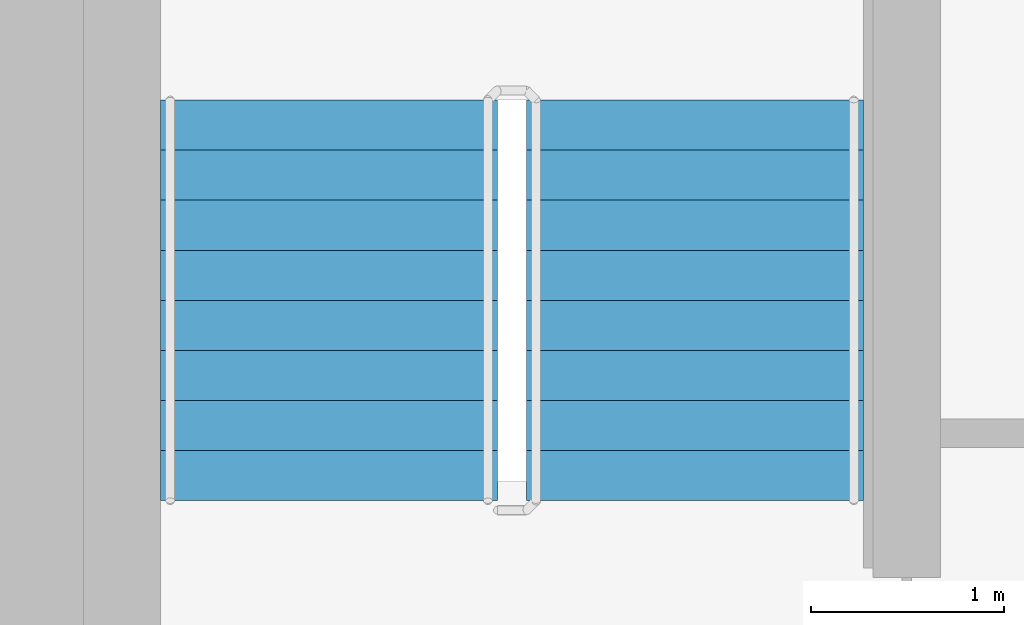
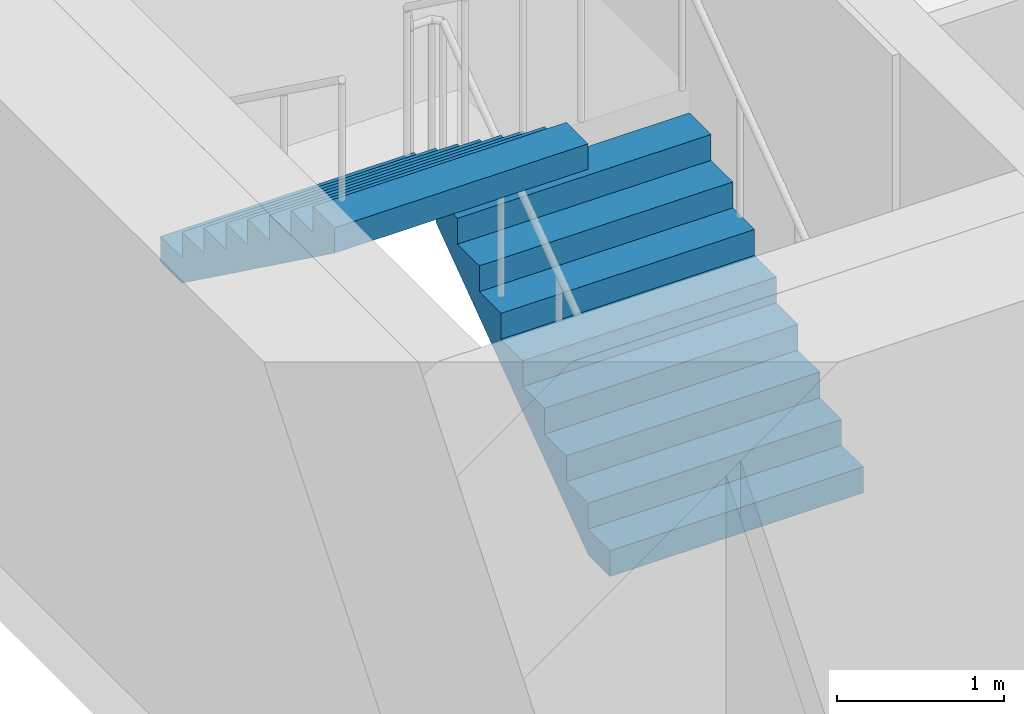
# One storey, part 16 of 19: 2 stair flights, 1 element without a shape of its own.
"""IFC4 building model written with IfcOpenShell, lengths in metres."""

import ifcopenshell
import ifcopenshell.guid

model = None  # the IFC model being written
_history = None  # IfcOwnerHistory: only IFC2X3 demands one
_inside = {}  # id of a spatial element -> (the spatial element, [elements in it])
_under = {}  # id of a project, library or spatial element -> (it, [spatial elements below it])
_declared = {}  # id of a project -> (the project, [libraries it declares])
_typed = {}  # id of a type object -> (the type object, [elements of that type])
_made_of = {}  # id of a material, layer set ... -> (it, [elements and type objects made of it])


def new_model(schema):
    """Start an empty IFC model of exactly this schema.

    Asked for "IFC4X3", IfcOpenShell would pick the latest addendum, in which some entities
    have other attributes; the version numbers below select the first issue.
    IFC2X3 requires an IfcOwnerHistory on every rooted entity: one is made here for all.
    """
    global model, _history
    if schema == "IFC4X3":
        model = ifcopenshell.file(schema_version=(4, 3, 0, 0))
    else:
        model = ifcopenshell.file(schema=schema)
    _inside.clear()
    _under.clear()
    _declared.clear()
    _typed.clear()
    _made_of.clear()
    _history = None
    if model.schema == "IFC2X3":
        org = make("IfcOrganization", Name="unknown")
        user = make(
            "IfcPersonAndOrganization",
            ThePerson=make("IfcPerson", FamilyName="unknown"),
            TheOrganization=org,
        )
        app = make(
            "IfcApplication",
            ApplicationDeveloper=org,
            Version="unknown",
            ApplicationFullName="unknown",
            ApplicationIdentifier="unknown",
        )
        _history = make(
            "IfcOwnerHistory",
            OwningUser=user,
            OwningApplication=app,
            ChangeAction="ADDED",
            CreationDate=0,
        )
    return model


def make(cls, **values):
    """One entity of the class cls with the attributes given. An attribute that is None is left unset."""
    return model.create_entity(
        cls, **{name: value for name, value in values.items() if value is not None}
    )


def rooted(cls, **values):
    """An entity with a GlobalId (a new one), such as an element, a storey or a relation."""
    return make(cls, GlobalId=ifcopenshell.guid.new(), OwnerHistory=_history, **values)


def si_unit(unit_type, name, prefix=None):
    """IfcSIUnit, for example si_unit("LENGTHUNIT", "METRE", prefix="MILLI")."""
    return make("IfcSIUnit", UnitType=unit_type, Prefix=prefix, Name=name)


def assignment(units):
    """IfcUnitAssignment: the units of a project."""
    return None if units is None else make("IfcUnitAssignment", Units=units)


def point(xyz):
    """IfcCartesianPoint."""
    return None if xyz is None else make("IfcCartesianPoint", Coordinates=xyz)


def direction(xyz):
    """IfcDirection."""
    return None if xyz is None else make("IfcDirection", DirectionRatios=xyz)


def frame(location, z_axis=None, x_axis=None):
    """IfcAxis2Placement3D, a coordinate frame: its origin and axes. An axis left out is left unset."""
    return make(
        "IfcAxis2Placement3D",
        Location=point(location),
        Axis=direction(z_axis),
        RefDirection=direction(x_axis),
    )


def origin():
    """The frame at (0, 0, 0) with its axes left unset."""
    return frame((0.0, 0.0, 0.0))


def place(relative_to, where):
    """IfcLocalPlacement: puts the frame where relative to a parent placement (None: the world)."""
    return make(
        "IfcLocalPlacement", PlacementRelTo=relative_to, RelativePlacement=where
    )


def context(
    kind, dimensions, precision=None, world=None, true_north=None, identifier=None
):
    """IfcGeometricRepresentationContext, for example the 3D "Model" context."""
    return make(
        "IfcGeometricRepresentationContext",
        ContextIdentifier=identifier,
        ContextType=kind,
        CoordinateSpaceDimension=dimensions,
        Precision=precision,
        WorldCoordinateSystem=world,
        TrueNorth=true_north,
    )


def subcontext(parent, identifier, kind, view, scale=None):
    """IfcGeometricRepresentationSubContext, for example "Body" below "Model"."""
    return make(
        "IfcGeometricRepresentationSubContext",
        ContextIdentifier=identifier,
        ContextType=kind,
        ParentContext=parent,
        TargetScale=scale,
        TargetView=view,
    )


def project(units=None, contexts=None):
    """IfcProject with its units and contexts."""
    return rooted(
        "IfcProject",
        Name="project",
        RepresentationContexts=contexts,
        UnitsInContext=assignment(units),
    )


def spatial(cls, under=None, at=None, **own):
    """A site, building, storey or space (cls), placed at a placement, below another one or the project."""
    s = rooted(cls, ObjectPlacement=at, **own)
    if under is not None:
        _under.setdefault(under.id(), (under, []))[1].append(s)
    return s


def faces_of(points, faces, orient=None, outer=None):
    """IfcFace entities. A face is a list of loops; a loop is a list of indices into points, from 0.

    orient and outer hold one flag for each loop. By default every Orientation is true, the
    first loop of a face is its IfcFaceOuterBound and the others are IfcFaceBound.
    """
    made = []
    for i, loops in enumerate(faces):
        bounds = []
        for j, loop in enumerate(loops):
            is_outer = j == 0 if outer is None else outer[i][j]
            bounds.append(
                make(
                    "IfcFaceOuterBound" if is_outer else "IfcFaceBound",
                    Bound=make("IfcPolyLoop", Polygon=[points[k] for k in loop]),
                    Orientation=True if orient is None else orient[i][j],
                )
            )
        made.append(make("IfcFace", Bounds=bounds))
    return made


def faceted_brep(points, faces, orient=None, outer=None, voids=None):
    """IfcFacetedBrep: a solid bounded by flat faces; with voids (closed shells), ...WithVoids."""
    shared = [point(p) for p in points]
    hull = make("IfcClosedShell", CfsFaces=faces_of(shared, faces, orient, outer))
    if voids is None:
        return make("IfcFacetedBrep", Outer=hull)
    return make(
        "IfcFacetedBrepWithVoids",
        Outer=hull,
        Voids=[
            make(cls, CfsFaces=faces_of(shared, fs, o, b)) for cls, fs, o, b in voids
        ],
    )


def shape(context_of_items, identifier, shape_type, items):
    """IfcShapeRepresentation: the items that make up one representation, for example the "Body"."""
    return make(
        "IfcShapeRepresentation",
        ContextOfItems=context_of_items,
        RepresentationIdentifier=identifier,
        RepresentationType=shape_type,
        Items=items,
    )


def material(Name=None, Category=None):
    """IfcMaterial."""
    return make("IfcMaterial", Name=Name, Category=Category)


def made_of(thing, what):
    """Note that an element or type object is made of a material, layer set ...; save() writes the relation."""
    if what is not None:
        _made_of.setdefault(what.id(), (what, []))[1].append(thing)
    return thing


def type_object(cls, material=None, **own):
    """A type object (cls), such as IfcWallType, which elements share."""
    return made_of(rooted(cls, **own), material)


def element(
    cls,
    number,
    at=None,
    inside=None,
    cuts=None,
    type_object=None,
    material=None,
    context=None,
    identifier="Body",
    shape_type=None,
    held_by="IfcProductDefinitionShape",
    body=None,
    shapes=None,
    **own,
):
    """One element of the class cls, such as IfcWall. Its Tag is "e" and its number.

    at: its placement. inside: the storey or other place that contains it. cuts: it is an
    opening in that element (IfcRelVoidsElement). A single representation is given by context,
    identifier, shape_type and body (its items); several are given by shapes. held_by: the class
    of the entity that holds the representations. save() writes the other relations.
    """
    e = rooted(cls, Tag="e%d" % number, ObjectPlacement=at, **own)
    if body is not None:
        shapes = [shape(context, identifier, shape_type, body)]
    if shapes is not None:
        e.Representation = make(held_by, Representations=shapes)
    if inside is not None:
        _inside.setdefault(inside.id(), (inside, []))[1].append(e)
    if cuts is not None:
        rooted(
            "IfcRelVoidsElement", RelatingBuildingElement=cuts, RelatedOpeningElement=e
        )
    if type_object is not None:
        _typed.setdefault(type_object.id(), (type_object, []))[1].append(e)
    return made_of(e, material)


def aggregate(whole, parts):
    """IfcRelAggregates: a whole, such as a stair, and the parts it consists of."""
    return rooted("IfcRelAggregates", RelatingObject=whole, RelatedObjects=parts)


def save(model, path):
    """Write the relations noted so far, then the file.

    IfcRelAggregates (storeys below a building ...), IfcRelContainedInSpatialStructure (elements
    in a storey), IfcRelDefinesByType, IfcRelAssociatesMaterial and IfcRelDeclares: one each for
    every whole, place, type object, material and project.
    """
    for whole, parts in _under.values():
        aggregate(whole, parts)
    for where, things in _inside.values():
        rooted(
            "IfcRelContainedInSpatialStructure",
            RelatedElements=things,
            RelatingStructure=where,
        )
    for kind, things in _typed.values():
        rooted("IfcRelDefinesByType", RelatedObjects=things, RelatingType=kind)
    for what, things in _made_of.values():
        rooted("IfcRelAssociatesMaterial", RelatedObjects=things, RelatingMaterial=what)
    for by, libraries in _declared.values():
        rooted("IfcRelDeclares", RelatingContext=by, RelatedDefinitions=libraries)
    model.write(path)


model = new_model("IFC4")

# Units and contexts
model_context = context("Model", 3, precision=1e-05, world=origin(), true_north=direction((0.0, 1.0)))
body_context = subcontext(model_context, "Body", "Model", "MODEL_VIEW")
ifc_project = project(units=[si_unit("LENGTHUNIT", "METRE"), si_unit("AREAUNIT", "SQUARE_METRE"), si_unit("VOLUMEUNIT", "CUBIC_METRE"), si_unit("PLANEANGLEUNIT", "RADIAN"), si_unit("MASSUNIT", "GRAM", prefix="KILO")], contexts=[model_context])

# Site, building, storey
site_placement = place(None, origin())
site = spatial("IfcSite", under=ifc_project, at=site_placement, CompositionType="ELEMENT")
building_placement = place(site_placement, origin())
building = spatial("IfcBuilding", under=site, at=building_placement, Name="Ipe Terrace Towers", CompositionType="ELEMENT")
storey_placement = place(building_placement, frame((0.0, 0.0, 174.5)))
storey = spatial("IfcBuildingStorey", under=building, at=storey_placement, Name="L48", CompositionType="ELEMENT", Elevation=174.5)

# Stair, stair flights
ifc_material_1 = material(Name="Concrete C30/37", Category="concrete")
stair_type = type_object("IfcStairType", Name="Protected exit stair", PredefinedType="HALF_TURN_STAIR", material=ifc_material_1)
stair_placement = place(storey_placement, origin())
stair = element("IfcStair", 1, at=stair_placement, inside=storey, type_object=stair_type, Name="L48 Exit stair T2-C1", PredefinedType="HALF_TURN_STAIR")
ifc_material_2 = material(Name="Concrete C30/37", Category="concrete")
stair_flight_type = type_object("IfcStairFlightType", Name="Exit stair flight 1750", PredefinedType="STRAIGHT", material=ifc_material_2)
stair_flight_1_placement = place(storey_placement, frame((33.22509765625, 9.699951171875, 0.0), z_axis=(0.0, 0.0, 1.0), x_axis=(0.0, 1.0, 0.0)))
stair_flight_1 = element("IfcStairFlight", 2, at=stair_flight_1_placement, type_object=stair_flight_type, Name="T2-ST1 flight 1", NumberOfRisers=9, NumberOfTreads=8, PredefinedType="STRAIGHT", RiserHeight=0.188888889, TreadLength=0.26, context=body_context, shape_type="Brep", body=[
    faceted_brep([(0.255126953125, -0.875, 0.0), (2.080078125, -0.875, 1.325927734375), (2.080078125, -0.875, 1.51123046875), (1.820068359375, -0.875, 1.51123046875), (1.820068359375, -0.875, 1.322265625), (1.56005859375, -0.875, 1.322265625), (1.56005859375, -0.875, 1.13330078125), (1.300048828125, -0.875, 1.13330078125), (1.300048828125, -0.875, 0.9443359375), (1.0400390625, -0.875, 0.9443359375), (1.0400390625, -0.875, 0.755615234375), (0.780029296875, -0.875, 0.755615234375), (0.780029296875, -0.875, 0.566650390625), (0.52001953125, -0.875, 0.566650390625), (0.52001953125, -0.875, 0.377685546875), (0.260009765625, -0.875, 0.377685546875), (0.260009765625, -0.875, 0.18896484375), (0.0, -0.875, 0.18896484375), (0.0, -0.875, 0.0), (0.0, 0.875, 0.0), (0.0, 0.875, 0.18896484375), (0.260009765625, 0.875, 0.18896484375), (0.260009765625, 0.875, 0.377685546875), (0.52001953125, 0.875, 0.377685546875), (0.52001953125, 0.875, 0.566650390625), (0.780029296875, 0.875, 0.566650390625), (0.780029296875, 0.875, 0.755615234375), (1.0400390625, 0.875, 0.755615234375), (1.0400390625, 0.875, 0.9443359375), (1.300048828125, 0.875, 0.9443359375), (1.300048828125, 0.875, 1.13330078125), (1.56005859375, 0.875, 1.13330078125), (1.56005859375, 0.875, 1.322265625), (1.820068359375, 0.875, 1.322265625), (1.820068359375, 0.875, 1.51123046875), (2.080078125, 0.875, 1.51123046875), (2.080078125, 0.875, 1.325927734375), (0.255126953125, 0.875, 0.0), (0.0, -0.300048828125, 0.18896484375), (0.0, -0.1201171875, 0.18896484375), (0.0, -0.06005859375, 0.18896484375), (0.0, -0.030029296875, 0.18896484375), (0.0, -0.010009765625, 0.18896484375), (0.0, 0.0, 0.18896484375), (0.0, 0.010009765625, 0.18896484375), (0.0, 0.030029296875, 0.18896484375), (0.0, 0.06005859375, 0.18896484375), (0.0, 0.1201171875, 0.18896484375), (0.0, 0.300048828125, 0.18896484375), (0.0, 0.300048828125, 0.0), (0.0, 0.1201171875, 0.0), (0.0, 0.06005859375, 0.0), (0.0, 0.030029296875, 0.0), (0.0, 0.010009765625, 0.0), (0.0, 0.0, 0.0), (0.0, -0.010009765625, 0.0), (0.0, -0.030029296875, 0.0), (0.0, -0.06005859375, 0.0), (0.0, -0.1201171875, 0.0), (0.0, -0.300048828125, 0.0), (0.260009765625, -0.300048828125, 0.18896484375), (0.260009765625, -0.1201171875, 0.18896484375), (0.260009765625, -0.06005859375, 0.18896484375), (0.260009765625, -0.030029296875, 0.18896484375), (0.260009765625, -0.010009765625, 0.18896484375), (0.260009765625, 0.0, 0.18896484375), (0.260009765625, 0.010009765625, 0.18896484375), (0.260009765625, 0.030029296875, 0.18896484375), (0.260009765625, 0.06005859375, 0.18896484375), (0.260009765625, 0.1201171875, 0.18896484375), (0.260009765625, 0.300048828125, 0.18896484375), (0.260009765625, -0.300048828125, 0.377685546875), (0.260009765625, -0.1201171875, 0.377685546875), (0.260009765625, -0.06005859375, 0.377685546875), (0.260009765625, -0.030029296875, 0.377685546875), (0.260009765625, -0.010009765625, 0.377685546875), (0.260009765625, 0.0, 0.377685546875), (0.260009765625, 0.010009765625, 0.377685546875), (0.260009765625, 0.030029296875, 0.377685546875), (0.260009765625, 0.06005859375, 0.377685546875), (0.260009765625, 0.1201171875, 0.377685546875), (0.260009765625, 0.300048828125, 0.377685546875), (0.52001953125, -0.300048828125, 0.377685546875), (0.52001953125, -0.1201171875, 0.377685546875), (0.52001953125, -0.06005859375, 0.377685546875), (0.52001953125, -0.030029296875, 0.377685546875), (0.52001953125, -0.010009765625, 0.377685546875), (0.52001953125, 0.0, 0.377685546875), (0.52001953125, 0.010009765625, 0.377685546875), (0.52001953125, 0.030029296875, 0.377685546875), (0.52001953125, 0.06005859375, 0.377685546875), (0.52001953125, 0.1201171875, 0.377685546875), (0.52001953125, 0.300048828125, 0.377685546875), (0.52001953125, -0.300048828125, 0.566650390625), (0.52001953125, -0.1201171875, 0.566650390625), (0.52001953125, -0.06005859375, 0.566650390625), (0.52001953125, -0.030029296875, 0.566650390625), (0.52001953125, -0.010009765625, 0.566650390625), (0.52001953125, 0.0, 0.566650390625), (0.52001953125, 0.010009765625, 0.566650390625), (0.52001953125, 0.030029296875, 0.566650390625), (0.52001953125, 0.06005859375, 0.566650390625), (0.52001953125, 0.1201171875, 0.566650390625), (0.52001953125, 0.300048828125, 0.566650390625), (0.780029296875, -0.300048828125, 0.566650390625), (0.780029296875, -0.1201171875, 0.566650390625), (0.780029296875, -0.06005859375, 0.566650390625), (0.780029296875, -0.030029296875, 0.566650390625), (0.780029296875, -0.010009765625, 0.566650390625), (0.780029296875, 0.0, 0.566650390625), (0.780029296875, 0.010009765625, 0.566650390625), (0.780029296875, 0.030029296875, 0.566650390625), (0.780029296875, 0.06005859375, 0.566650390625), (0.780029296875, 0.1201171875, 0.566650390625), (0.780029296875, 0.300048828125, 0.566650390625), (0.780029296875, -0.300048828125, 0.755615234375), (0.780029296875, -0.1201171875, 0.755615234375), (0.780029296875, -0.06005859375, 0.755615234375), (0.780029296875, -0.030029296875, 0.755615234375), (0.780029296875, -0.010009765625, 0.755615234375), (0.780029296875, 0.0, 0.755615234375), (0.780029296875, 0.010009765625, 0.755615234375), (0.780029296875, 0.030029296875, 0.755615234375), (0.780029296875, 0.06005859375, 0.755615234375), (0.780029296875, 0.1201171875, 0.755615234375), (0.780029296875, 0.300048828125, 0.755615234375), (1.0400390625, -0.300048828125, 0.755615234375), (1.0400390625, -0.1201171875, 0.755615234375), (1.0400390625, -0.06005859375, 0.755615234375), (1.0400390625, -0.030029296875, 0.755615234375), (1.0400390625, -0.010009765625, 0.755615234375), (1.0400390625, 0.0, 0.755615234375), (1.0400390625, 0.010009765625, 0.755615234375), (1.0400390625, 0.030029296875, 0.755615234375), (1.0400390625, 0.06005859375, 0.755615234375), (1.0400390625, 0.1201171875, 0.755615234375), (1.0400390625, 0.300048828125, 0.755615234375), (1.0400390625, -0.300048828125, 0.9443359375), (1.0400390625, -0.1201171875, 0.9443359375), (1.0400390625, -0.06005859375, 0.9443359375), (1.0400390625, -0.030029296875, 0.9443359375), (1.0400390625, -0.010009765625, 0.9443359375), (1.0400390625, 0.0, 0.9443359375), (1.0400390625, 0.010009765625, 0.9443359375), (1.0400390625, 0.030029296875, 0.9443359375), (1.0400390625, 0.06005859375, 0.9443359375), (1.0400390625, 0.1201171875, 0.9443359375), (1.0400390625, 0.300048828125, 0.9443359375), (1.300048828125, -0.300048828125, 0.9443359375), (1.300048828125, -0.1201171875, 0.9443359375), (1.300048828125, -0.06005859375, 0.9443359375), (1.300048828125, -0.030029296875, 0.9443359375), (1.300048828125, -0.010009765625, 0.9443359375), (1.300048828125, 0.0, 0.9443359375), (1.300048828125, 0.010009765625, 0.9443359375), (1.300048828125, 0.030029296875, 0.9443359375), (1.300048828125, 0.06005859375, 0.9443359375), (1.300048828125, 0.1201171875, 0.9443359375), (1.300048828125, 0.300048828125, 0.9443359375), (1.300048828125, -0.300048828125, 1.13330078125), (1.300048828125, -0.1201171875, 1.13330078125), (1.300048828125, -0.06005859375, 1.13330078125), (1.300048828125, -0.030029296875, 1.13330078125), (1.300048828125, -0.010009765625, 1.13330078125), (1.300048828125, 0.0, 1.13330078125), (1.300048828125, 0.010009765625, 1.13330078125), (1.300048828125, 0.030029296875, 1.13330078125), (1.300048828125, 0.06005859375, 1.13330078125), (1.300048828125, 0.1201171875, 1.13330078125), (1.300048828125, 0.300048828125, 1.13330078125), (1.56005859375, -0.300048828125, 1.13330078125), (1.56005859375, -0.1201171875, 1.13330078125), (1.56005859375, -0.06005859375, 1.13330078125), (1.56005859375, -0.030029296875, 1.13330078125), (1.56005859375, -0.010009765625, 1.13330078125), (1.56005859375, 0.0, 1.13330078125), (1.56005859375, 0.010009765625, 1.13330078125), (1.56005859375, 0.030029296875, 1.13330078125), (1.56005859375, 0.06005859375, 1.13330078125), (1.56005859375, 0.1201171875, 1.13330078125), (1.56005859375, 0.300048828125, 1.13330078125), (1.56005859375, -0.300048828125, 1.322265625), (1.56005859375, -0.1201171875, 1.322265625), (1.56005859375, -0.06005859375, 1.322265625), (1.56005859375, -0.030029296875, 1.322265625), (1.56005859375, -0.010009765625, 1.322265625), (1.56005859375, 0.0, 1.322265625), (1.56005859375, 0.010009765625, 1.322265625), (1.56005859375, 0.030029296875, 1.322265625), (1.56005859375, 0.06005859375, 1.322265625), (1.56005859375, 0.1201171875, 1.322265625), (1.56005859375, 0.300048828125, 1.322265625), (1.820068359375, -0.300048828125, 1.322265625), (1.820068359375, -0.1201171875, 1.322265625), (1.820068359375, -0.06005859375, 1.322265625), (1.820068359375, -0.030029296875, 1.322265625), (1.820068359375, -0.010009765625, 1.322265625), (1.820068359375, 0.0, 1.322265625), (1.820068359375, 0.010009765625, 1.322265625), (1.820068359375, 0.030029296875, 1.322265625), (1.820068359375, 0.06005859375, 1.322265625), (1.820068359375, 0.1201171875, 1.322265625), (1.820068359375, 0.300048828125, 1.322265625), (1.820068359375, -0.300048828125, 1.51123046875), (1.820068359375, -0.1201171875, 1.51123046875), (1.820068359375, -0.06005859375, 1.51123046875), (1.820068359375, -0.030029296875, 1.51123046875), (1.820068359375, -0.010009765625, 1.51123046875), (1.820068359375, 0.0, 1.51123046875), (1.820068359375, 0.010009765625, 1.51123046875), (1.820068359375, 0.030029296875, 1.51123046875), (1.820068359375, 0.06005859375, 1.51123046875), (1.820068359375, 0.1201171875, 1.51123046875), (1.820068359375, 0.300048828125, 1.51123046875), (2.080078125, -0.300048828125, 1.51123046875), (2.080078125, -0.1201171875, 1.51123046875), (2.080078125, -0.06005859375, 1.51123046875), (2.080078125, -0.030029296875, 1.51123046875), (2.080078125, -0.010009765625, 1.51123046875), (2.080078125, 0.0, 1.51123046875), (2.080078125, 0.010009765625, 1.51123046875), (2.080078125, 0.030029296875, 1.51123046875), (2.080078125, 0.06005859375, 1.51123046875), (2.080078125, 0.1201171875, 1.51123046875), (2.080078125, 0.300048828125, 1.51123046875), (2.080078125, -0.300048828125, 1.325927734375), (2.080078125, -0.1201171875, 1.325927734375), (2.080078125, -0.06005859375, 1.325927734375), (2.080078125, -0.030029296875, 1.325927734375), (2.080078125, -0.010009765625, 1.325927734375), (2.080078125, 0.0, 1.325927734375), (2.080078125, 0.010009765625, 1.325927734375), (2.080078125, 0.030029296875, 1.325927734375), (2.080078125, 0.06005859375, 1.325927734375), (2.080078125, 0.1201171875, 1.325927734375), (2.080078125, 0.300048828125, 1.325927734375), (0.255126953125, -0.300048828125, 0.0), (0.255126953125, -0.1201171875, 0.0), (0.255126953125, -0.06005859375, 0.0), (0.255126953125, -0.030029296875, 0.0), (0.255126953125, -0.010009765625, 0.0), (0.255126953125, 0.0, 0.0), (0.255126953125, 0.010009765625, 0.0), (0.255126953125, 0.030029296875, 0.0), (0.255126953125, 0.06005859375, 0.0), (0.255126953125, 0.1201171875, 0.0), (0.255126953125, 0.300048828125, 0.0)], [[[0, 1, 2, 3, 4, 5, 6, 7, 8, 9, 10, 11, 12, 13, 14, 15, 16, 17, 18]], [[19, 20, 21, 22, 23, 24, 25, 26, 27, 28, 29, 30, 31, 32, 33, 34, 35, 36, 37]], [[17, 38, 39, 40, 41, 42, 43, 44, 45, 46, 47, 48, 20, 19, 49, 50, 51, 52, 53, 54, 55, 56, 57, 58, 59, 18]], [[16, 60, 61, 62, 63, 64, 65, 66, 67, 68, 69, 70, 21, 20, 48, 47, 46, 45, 44, 43, 42, 41, 40, 39, 38, 17]], [[15, 71, 72, 73, 74, 75, 76, 77, 78, 79, 80, 81, 22, 21, 70, 69, 68, 67, 66, 65, 64, 63, 62, 61, 60, 16]], [[14, 82, 83, 84, 85, 86, 87, 88, 89, 90, 91, 92, 23, 22, 81, 80, 79, 78, 77, 76, 75, 74, 73, 72, 71, 15]], [[13, 93, 94, 95, 96, 97, 98, 99, 100, 101, 102, 103, 24, 23, 92, 91, 90, 89, 88, 87, 86, 85, 84, 83, 82, 14]], [[12, 104, 105, 106, 107, 108, 109, 110, 111, 112, 113, 114, 25, 24, 103, 102, 101, 100, 99, 98, 97, 96, 95, 94, 93, 13]], [[11, 115, 116, 117, 118, 119, 120, 121, 122, 123, 124, 125, 26, 25, 114, 113, 112, 111, 110, 109, 108, 107, 106, 105, 104, 12]], [[10, 126, 127, 128, 129, 130, 131, 132, 133, 134, 135, 136, 27, 26, 125, 124, 123, 122, 121, 120, 119, 118, 117, 116, 115, 11]], [[9, 137, 138, 139, 140, 141, 142, 143, 144, 145, 146, 147, 28, 27, 136, 135, 134, 133, 132, 131, 130, 129, 128, 127, 126, 10]], [[8, 148, 149, 150, 151, 152, 153, 154, 155, 156, 157, 158, 29, 28, 147, 146, 145, 144, 143, 142, 141, 140, 139, 138, 137, 9]], [[7, 159, 160, 161, 162, 163, 164, 165, 166, 167, 168, 169, 30, 29, 158, 157, 156, 155, 154, 153, 152, 151, 150, 149, 148, 8]], [[6, 170, 171, 172, 173, 174, 175, 176, 177, 178, 179, 180, 31, 30, 169, 168, 167, 166, 165, 164, 163, 162, 161, 160, 159, 7]], [[5, 181, 182, 183, 184, 185, 186, 187, 188, 189, 190, 191, 32, 31, 180, 179, 178, 177, 176, 175, 174, 173, 172, 171, 170, 6]], [[4, 192, 193, 194, 195, 196, 197, 198, 199, 200, 201, 202, 33, 32, 191, 190, 189, 188, 187, 186, 185, 184, 183, 182, 181, 5]], [[3, 203, 204, 205, 206, 207, 208, 209, 210, 211, 212, 213, 34, 33, 202, 201, 200, 199, 198, 197, 196, 195, 194, 193, 192, 4]], [[2, 214, 215, 216, 217, 218, 219, 220, 221, 222, 223, 224, 35, 34, 213, 212, 211, 210, 209, 208, 207, 206, 205, 204, 203, 3]], [[1, 225, 226, 227, 228, 229, 230, 231, 232, 233, 234, 235, 36, 35, 224, 223, 222, 221, 220, 219, 218, 217, 216, 215, 214, 2]], [[0, 236, 237, 238, 239, 240, 241, 242, 243, 244, 245, 246, 37, 36, 235, 234, 233, 232, 231, 230, 229, 228, 227, 226, 225, 1]], [[18, 59, 58, 57, 56, 55, 54, 53, 52, 51, 50, 49, 19, 37, 246, 245, 244, 243, 242, 241, 240, 239, 238, 237, 236, 0]]]),
])
stair_flight_2_placement = place(storey_placement, frame((31.324951171875, 11.780029296875, 1.699951171875), z_axis=(0.0, 0.0, 1.0), x_axis=(0.0, -1.0, 0.0)))
stair_flight_2 = element("IfcStairFlight", 3, at=stair_flight_2_placement, type_object=stair_flight_type, Name="T2-ST1 flight 2", NumberOfRisers=9, NumberOfTreads=8, PredefinedType="STRAIGHT", RiserHeight=0.188888889, TreadLength=0.26, context=body_context, shape_type="Brep", body=[
    faceted_brep([(0.255126953125, -0.875, 0.0), (2.080078125, -0.875, 1.325927734375), (2.080078125, -0.875, 1.51123046875), (1.820068359375, -0.875, 1.51123046875), (1.820068359375, -0.875, 1.322265625), (1.56005859375, -0.875, 1.322265625), (1.56005859375, -0.875, 1.13330078125), (1.300048828125, -0.875, 1.13330078125), (1.300048828125, -0.875, 0.9443359375), (1.0400390625, -0.875, 0.9443359375), (1.0400390625, -0.875, 0.755615234375), (0.780029296875, -0.875, 0.755615234375), (0.780029296875, -0.875, 0.566650390625), (0.52001953125, -0.875, 0.566650390625), (0.52001953125, -0.875, 0.377685546875), (0.260009765625, -0.875, 0.377685546875), (0.260009765625, -0.875, 0.18896484375), (0.0, -0.875, 0.18896484375), (0.0, -0.875, 0.0), (0.0, 0.875, 0.0), (0.0, 0.875, 0.18896484375), (0.260009765625, 0.875, 0.18896484375), (0.260009765625, 0.875, 0.377685546875), (0.52001953125, 0.875, 0.377685546875), (0.52001953125, 0.875, 0.566650390625), (0.780029296875, 0.875, 0.566650390625), (0.780029296875, 0.875, 0.755615234375), (1.0400390625, 0.875, 0.755615234375), (1.0400390625, 0.875, 0.9443359375), (1.300048828125, 0.875, 0.9443359375), (1.300048828125, 0.875, 1.13330078125), (1.56005859375, 0.875, 1.13330078125), (1.56005859375, 0.875, 1.322265625), (1.820068359375, 0.875, 1.322265625), (1.820068359375, 0.875, 1.51123046875), (2.080078125, 0.875, 1.51123046875), (2.080078125, 0.875, 1.325927734375), (0.255126953125, 0.875, 0.0), (0.0, -0.300048828125, 0.18896484375), (0.0, -0.1201171875, 0.18896484375), (0.0, -0.06005859375, 0.18896484375), (0.0, -0.030029296875, 0.18896484375), (0.0, -0.010009765625, 0.18896484375), (0.0, 0.0, 0.18896484375), (0.0, 0.010009765625, 0.18896484375), (0.0, 0.030029296875, 0.18896484375), (0.0, 0.06005859375, 0.18896484375), (0.0, 0.1201171875, 0.18896484375), (0.0, 0.300048828125, 0.18896484375), (0.0, 0.300048828125, 0.0), (0.0, 0.1201171875, 0.0), (0.0, 0.06005859375, 0.0), (0.0, 0.030029296875, 0.0), (0.0, 0.010009765625, 0.0), (0.0, 0.0, 0.0), (0.0, -0.010009765625, 0.0), (0.0, -0.030029296875, 0.0), (0.0, -0.06005859375, 0.0), (0.0, -0.1201171875, 0.0), (0.0, -0.300048828125, 0.0), (0.260009765625, -0.300048828125, 0.18896484375), (0.260009765625, -0.1201171875, 0.18896484375), (0.260009765625, -0.06005859375, 0.18896484375), (0.260009765625, -0.030029296875, 0.18896484375), (0.260009765625, -0.010009765625, 0.18896484375), (0.260009765625, 0.0, 0.18896484375), (0.260009765625, 0.010009765625, 0.18896484375), (0.260009765625, 0.030029296875, 0.18896484375), (0.260009765625, 0.06005859375, 0.18896484375), (0.260009765625, 0.1201171875, 0.18896484375), (0.260009765625, 0.300048828125, 0.18896484375), (0.260009765625, -0.300048828125, 0.377685546875), (0.260009765625, -0.1201171875, 0.377685546875), (0.260009765625, -0.06005859375, 0.377685546875), (0.260009765625, -0.030029296875, 0.377685546875), (0.260009765625, -0.010009765625, 0.377685546875), (0.260009765625, 0.0, 0.377685546875), (0.260009765625, 0.010009765625, 0.377685546875), (0.260009765625, 0.030029296875, 0.377685546875), (0.260009765625, 0.06005859375, 0.377685546875), (0.260009765625, 0.1201171875, 0.377685546875), (0.260009765625, 0.300048828125, 0.377685546875), (0.52001953125, -0.300048828125, 0.377685546875), (0.52001953125, -0.1201171875, 0.377685546875), (0.52001953125, -0.06005859375, 0.377685546875), (0.52001953125, -0.030029296875, 0.377685546875), (0.52001953125, -0.010009765625, 0.377685546875), (0.52001953125, 0.0, 0.377685546875), (0.52001953125, 0.010009765625, 0.377685546875), (0.52001953125, 0.030029296875, 0.377685546875), (0.52001953125, 0.06005859375, 0.377685546875), (0.52001953125, 0.1201171875, 0.377685546875), (0.52001953125, 0.300048828125, 0.377685546875), (0.52001953125, -0.300048828125, 0.566650390625), (0.52001953125, -0.1201171875, 0.566650390625), (0.52001953125, -0.06005859375, 0.566650390625), (0.52001953125, -0.030029296875, 0.566650390625), (0.52001953125, -0.010009765625, 0.566650390625), (0.52001953125, 0.0, 0.566650390625), (0.52001953125, 0.010009765625, 0.566650390625), (0.52001953125, 0.030029296875, 0.566650390625), (0.52001953125, 0.06005859375, 0.566650390625), (0.52001953125, 0.1201171875, 0.566650390625), (0.52001953125, 0.300048828125, 0.566650390625), (0.780029296875, -0.300048828125, 0.566650390625), (0.780029296875, -0.1201171875, 0.566650390625), (0.780029296875, -0.06005859375, 0.566650390625), (0.780029296875, -0.030029296875, 0.566650390625), (0.780029296875, -0.010009765625, 0.566650390625), (0.780029296875, 0.0, 0.566650390625), (0.780029296875, 0.010009765625, 0.566650390625), (0.780029296875, 0.030029296875, 0.566650390625), (0.780029296875, 0.06005859375, 0.566650390625), (0.780029296875, 0.1201171875, 0.566650390625), (0.780029296875, 0.300048828125, 0.566650390625), (0.780029296875, -0.300048828125, 0.755615234375), (0.780029296875, -0.1201171875, 0.755615234375), (0.780029296875, -0.06005859375, 0.755615234375), (0.780029296875, -0.030029296875, 0.755615234375), (0.780029296875, -0.010009765625, 0.755615234375), (0.780029296875, 0.0, 0.755615234375), (0.780029296875, 0.010009765625, 0.755615234375), (0.780029296875, 0.030029296875, 0.755615234375), (0.780029296875, 0.06005859375, 0.755615234375), (0.780029296875, 0.1201171875, 0.755615234375), (0.780029296875, 0.300048828125, 0.755615234375), (1.0400390625, -0.300048828125, 0.755615234375), (1.0400390625, -0.1201171875, 0.755615234375), (1.0400390625, -0.06005859375, 0.755615234375), (1.0400390625, -0.030029296875, 0.755615234375), (1.0400390625, -0.010009765625, 0.755615234375), (1.0400390625, 0.0, 0.755615234375), (1.0400390625, 0.010009765625, 0.755615234375), (1.0400390625, 0.030029296875, 0.755615234375), (1.0400390625, 0.06005859375, 0.755615234375), (1.0400390625, 0.1201171875, 0.755615234375), (1.0400390625, 0.300048828125, 0.755615234375), (1.0400390625, -0.300048828125, 0.9443359375), (1.0400390625, -0.1201171875, 0.9443359375), (1.0400390625, -0.06005859375, 0.9443359375), (1.0400390625, -0.030029296875, 0.9443359375), (1.0400390625, -0.010009765625, 0.9443359375), (1.0400390625, 0.0, 0.9443359375), (1.0400390625, 0.010009765625, 0.9443359375), (1.0400390625, 0.030029296875, 0.9443359375), (1.0400390625, 0.06005859375, 0.9443359375), (1.0400390625, 0.1201171875, 0.9443359375), (1.0400390625, 0.300048828125, 0.9443359375), (1.300048828125, -0.300048828125, 0.9443359375), (1.300048828125, -0.1201171875, 0.9443359375), (1.300048828125, -0.06005859375, 0.9443359375), (1.300048828125, -0.030029296875, 0.9443359375), (1.300048828125, -0.010009765625, 0.9443359375), (1.300048828125, 0.0, 0.9443359375), (1.300048828125, 0.010009765625, 0.9443359375), (1.300048828125, 0.030029296875, 0.9443359375), (1.300048828125, 0.06005859375, 0.9443359375), (1.300048828125, 0.1201171875, 0.9443359375), (1.300048828125, 0.300048828125, 0.9443359375), (1.300048828125, -0.300048828125, 1.13330078125), (1.300048828125, -0.1201171875, 1.13330078125), (1.300048828125, -0.06005859375, 1.13330078125), (1.300048828125, -0.030029296875, 1.13330078125), (1.300048828125, -0.010009765625, 1.13330078125), (1.300048828125, 0.0, 1.13330078125), (1.300048828125, 0.010009765625, 1.13330078125), (1.300048828125, 0.030029296875, 1.13330078125), (1.300048828125, 0.06005859375, 1.13330078125), (1.300048828125, 0.1201171875, 1.13330078125), (1.300048828125, 0.300048828125, 1.13330078125), (1.56005859375, -0.300048828125, 1.13330078125), (1.56005859375, -0.1201171875, 1.13330078125), (1.56005859375, -0.06005859375, 1.13330078125), (1.56005859375, -0.030029296875, 1.13330078125), (1.56005859375, -0.010009765625, 1.13330078125), (1.56005859375, 0.0, 1.13330078125), (1.56005859375, 0.010009765625, 1.13330078125), (1.56005859375, 0.030029296875, 1.13330078125), (1.56005859375, 0.06005859375, 1.13330078125), (1.56005859375, 0.1201171875, 1.13330078125), (1.56005859375, 0.300048828125, 1.13330078125), (1.56005859375, -0.300048828125, 1.322265625), (1.56005859375, -0.1201171875, 1.322265625), (1.56005859375, -0.06005859375, 1.322265625), (1.56005859375, -0.030029296875, 1.322265625), (1.56005859375, -0.010009765625, 1.322265625), (1.56005859375, 0.0, 1.322265625), (1.56005859375, 0.010009765625, 1.322265625), (1.56005859375, 0.030029296875, 1.322265625), (1.56005859375, 0.06005859375, 1.322265625), (1.56005859375, 0.1201171875, 1.322265625), (1.56005859375, 0.300048828125, 1.322265625), (1.820068359375, -0.300048828125, 1.322265625), (1.820068359375, -0.1201171875, 1.322265625), (1.820068359375, -0.06005859375, 1.322265625), (1.820068359375, -0.030029296875, 1.322265625), (1.820068359375, -0.010009765625, 1.322265625), (1.820068359375, 0.0, 1.322265625), (1.820068359375, 0.010009765625, 1.322265625), (1.820068359375, 0.030029296875, 1.322265625), (1.820068359375, 0.06005859375, 1.322265625), (1.820068359375, 0.1201171875, 1.322265625), (1.820068359375, 0.300048828125, 1.322265625), (1.820068359375, -0.300048828125, 1.51123046875), (1.820068359375, -0.1201171875, 1.51123046875), (1.820068359375, -0.06005859375, 1.51123046875), (1.820068359375, -0.030029296875, 1.51123046875), (1.820068359375, -0.010009765625, 1.51123046875), (1.820068359375, 0.0, 1.51123046875), (1.820068359375, 0.010009765625, 1.51123046875), (1.820068359375, 0.030029296875, 1.51123046875), (1.820068359375, 0.06005859375, 1.51123046875), (1.820068359375, 0.1201171875, 1.51123046875), (1.820068359375, 0.300048828125, 1.51123046875), (2.080078125, -0.300048828125, 1.51123046875), (2.080078125, -0.1201171875, 1.51123046875), (2.080078125, -0.06005859375, 1.51123046875), (2.080078125, -0.030029296875, 1.51123046875), (2.080078125, -0.010009765625, 1.51123046875), (2.080078125, 0.0, 1.51123046875), (2.080078125, 0.010009765625, 1.51123046875), (2.080078125, 0.030029296875, 1.51123046875), (2.080078125, 0.06005859375, 1.51123046875), (2.080078125, 0.1201171875, 1.51123046875), (2.080078125, 0.300048828125, 1.51123046875), (2.080078125, -0.300048828125, 1.325927734375), (2.080078125, -0.1201171875, 1.325927734375), (2.080078125, -0.06005859375, 1.325927734375), (2.080078125, -0.030029296875, 1.325927734375), (2.080078125, -0.010009765625, 1.325927734375), (2.080078125, 0.0, 1.325927734375), (2.080078125, 0.010009765625, 1.325927734375), (2.080078125, 0.030029296875, 1.325927734375), (2.080078125, 0.06005859375, 1.325927734375), (2.080078125, 0.1201171875, 1.325927734375), (2.080078125, 0.300048828125, 1.325927734375), (0.255126953125, -0.300048828125, 0.0), (0.255126953125, -0.1201171875, 0.0), (0.255126953125, -0.06005859375, 0.0), (0.255126953125, -0.030029296875, 0.0), (0.255126953125, -0.010009765625, 0.0), (0.255126953125, 0.0, 0.0), (0.255126953125, 0.010009765625, 0.0), (0.255126953125, 0.030029296875, 0.0), (0.255126953125, 0.06005859375, 0.0), (0.255126953125, 0.1201171875, 0.0), (0.255126953125, 0.300048828125, 0.0)], [[[0, 1, 2, 3, 4, 5, 6, 7, 8, 9, 10, 11, 12, 13, 14, 15, 16, 17, 18]], [[19, 20, 21, 22, 23, 24, 25, 26, 27, 28, 29, 30, 31, 32, 33, 34, 35, 36, 37]], [[17, 38, 39, 40, 41, 42, 43, 44, 45, 46, 47, 48, 20, 19, 49, 50, 51, 52, 53, 54, 55, 56, 57, 58, 59, 18]], [[16, 60, 61, 62, 63, 64, 65, 66, 67, 68, 69, 70, 21, 20, 48, 47, 46, 45, 44, 43, 42, 41, 40, 39, 38, 17]], [[15, 71, 72, 73, 74, 75, 76, 77, 78, 79, 80, 81, 22, 21, 70, 69, 68, 67, 66, 65, 64, 63, 62, 61, 60, 16]], [[14, 82, 83, 84, 85, 86, 87, 88, 89, 90, 91, 92, 23, 22, 81, 80, 79, 78, 77, 76, 75, 74, 73, 72, 71, 15]], [[13, 93, 94, 95, 96, 97, 98, 99, 100, 101, 102, 103, 24, 23, 92, 91, 90, 89, 88, 87, 86, 85, 84, 83, 82, 14]], [[12, 104, 105, 106, 107, 108, 109, 110, 111, 112, 113, 114, 25, 24, 103, 102, 101, 100, 99, 98, 97, 96, 95, 94, 93, 13]], [[11, 115, 116, 117, 118, 119, 120, 121, 122, 123, 124, 125, 26, 25, 114, 113, 112, 111, 110, 109, 108, 107, 106, 105, 104, 12]], [[10, 126, 127, 128, 129, 130, 131, 132, 133, 134, 135, 136, 27, 26, 125, 124, 123, 122, 121, 120, 119, 118, 117, 116, 115, 11]], [[9, 137, 138, 139, 140, 141, 142, 143, 144, 145, 146, 147, 28, 27, 136, 135, 134, 133, 132, 131, 130, 129, 128, 127, 126, 10]], [[8, 148, 149, 150, 151, 152, 153, 154, 155, 156, 157, 158, 29, 28, 147, 146, 145, 144, 143, 142, 141, 140, 139, 138, 137, 9]], [[7, 159, 160, 161, 162, 163, 164, 165, 166, 167, 168, 169, 30, 29, 158, 157, 156, 155, 154, 153, 152, 151, 150, 149, 148, 8]], [[6, 170, 171, 172, 173, 174, 175, 176, 177, 178, 179, 180, 31, 30, 169, 168, 167, 166, 165, 164, 163, 162, 161, 160, 159, 7]], [[5, 181, 182, 183, 184, 185, 186, 187, 188, 189, 190, 191, 32, 31, 180, 179, 178, 177, 176, 175, 174, 173, 172, 171, 170, 6]], [[4, 192, 193, 194, 195, 196, 197, 198, 199, 200, 201, 202, 33, 32, 191, 190, 189, 188, 187, 186, 185, 184, 183, 182, 181, 5]], [[3, 203, 204, 205, 206, 207, 208, 209, 210, 211, 212, 213, 34, 33, 202, 201, 200, 199, 198, 197, 196, 195, 194, 193, 192, 4]], [[2, 214, 215, 216, 217, 218, 219, 220, 221, 222, 223, 224, 35, 34, 213, 212, 211, 210, 209, 208, 207, 206, 205, 204, 203, 3]], [[1, 225, 226, 227, 228, 229, 230, 231, 232, 233, 234, 235, 36, 35, 224, 223, 222, 221, 220, 219, 218, 217, 216, 215, 214, 2]], [[0, 236, 237, 238, 239, 240, 241, 242, 243, 244, 245, 246, 37, 36, 235, 234, 233, 232, 231, 230, 229, 228, 227, 226, 225, 1]], [[18, 59, 58, 57, 56, 55, 54, 53, 52, 51, 50, 49, 19, 37, 246, 245, 244, 243, 242, 241, 240, 239, 238, 237, 236, 0]]]),
])
aggregate(stair, [stair_flight_1, stair_flight_2])

save(model, "model.ifc")
